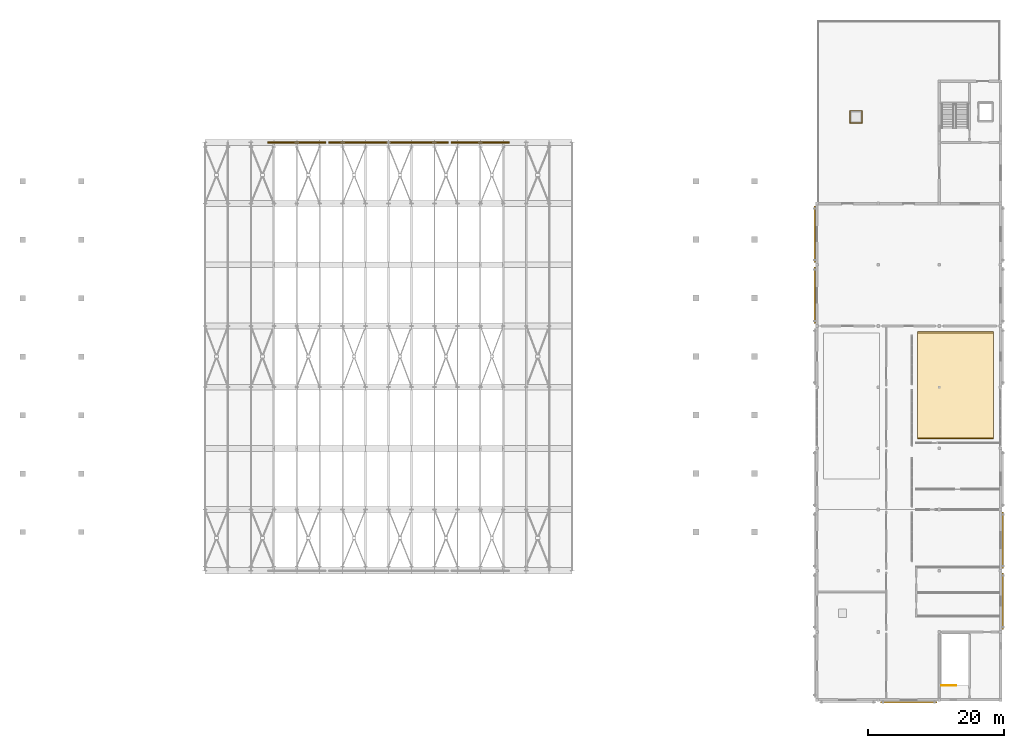
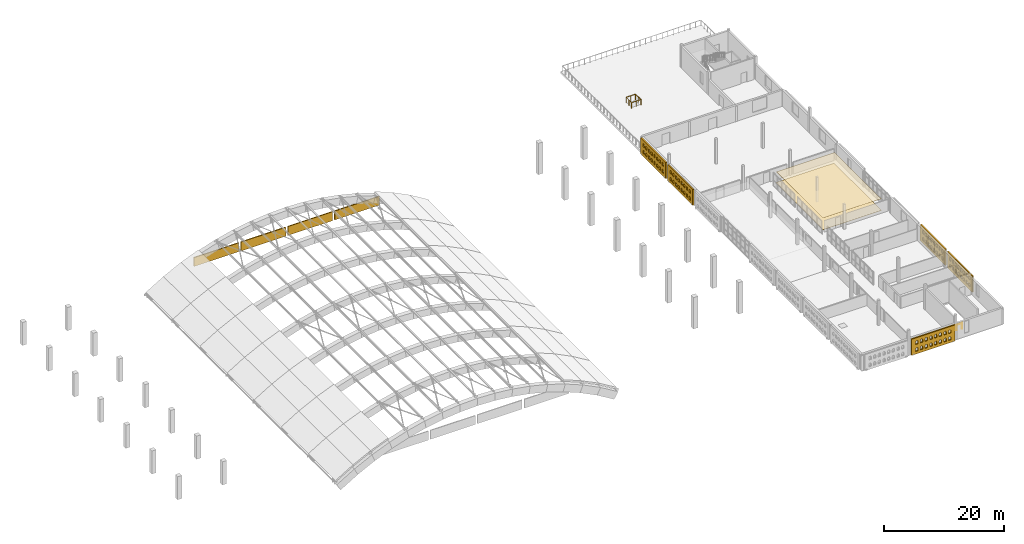
# One storey, part 28 of 30: 7 coverings, 4 shading devices, 2 railings.
"""IFC4 building model written with IfcOpenShell, lengths in metres."""

import ifcopenshell
import ifcopenshell.guid

model = None  # the IFC model being written
_history = None  # IfcOwnerHistory: only IFC2X3 demands one
_inside = {}  # id of a spatial element -> (the spatial element, [elements in it])
_under = {}  # id of a project, library or spatial element -> (it, [spatial elements below it])
_declared = {}  # id of a project -> (the project, [libraries it declares])
_typed = {}  # id of a type object -> (the type object, [elements of that type])
_made_of = {}  # id of a material, layer set ... -> (it, [elements and type objects made of it])


def new_model(schema):
    """Start an empty IFC model of exactly this schema.

    Asked for "IFC4X3", IfcOpenShell would pick the latest addendum, in which some entities
    have other attributes; the version numbers below select the first issue.
    IFC2X3 requires an IfcOwnerHistory on every rooted entity: one is made here for all.
    """
    global model, _history
    if schema == "IFC4X3":
        model = ifcopenshell.file(schema_version=(4, 3, 0, 0))
    else:
        model = ifcopenshell.file(schema=schema)
    _inside.clear()
    _under.clear()
    _declared.clear()
    _typed.clear()
    _made_of.clear()
    _history = None
    if model.schema == "IFC2X3":
        org = make("IfcOrganization", Name="unknown")
        user = make(
            "IfcPersonAndOrganization",
            ThePerson=make("IfcPerson", FamilyName="unknown"),
            TheOrganization=org,
        )
        app = make(
            "IfcApplication",
            ApplicationDeveloper=org,
            Version="unknown",
            ApplicationFullName="unknown",
            ApplicationIdentifier="unknown",
        )
        _history = make(
            "IfcOwnerHistory",
            OwningUser=user,
            OwningApplication=app,
            ChangeAction="ADDED",
            CreationDate=0,
        )
    return model


def make(cls, **values):
    """One entity of the class cls with the attributes given. An attribute that is None is left unset."""
    return model.create_entity(
        cls, **{name: value for name, value in values.items() if value is not None}
    )


def rooted(cls, **values):
    """An entity with a GlobalId (a new one), such as an element, a storey or a relation."""
    return make(cls, GlobalId=ifcopenshell.guid.new(), OwnerHistory=_history, **values)


def si_unit(unit_type, name, prefix=None):
    """IfcSIUnit, for example si_unit("LENGTHUNIT", "METRE", prefix="MILLI")."""
    return make("IfcSIUnit", UnitType=unit_type, Prefix=prefix, Name=name)


def assignment(units):
    """IfcUnitAssignment: the units of a project."""
    return None if units is None else make("IfcUnitAssignment", Units=units)


def point(xyz):
    """IfcCartesianPoint."""
    return None if xyz is None else make("IfcCartesianPoint", Coordinates=xyz)


def direction(xyz):
    """IfcDirection."""
    return None if xyz is None else make("IfcDirection", DirectionRatios=xyz)


def frame(location, z_axis=None, x_axis=None):
    """IfcAxis2Placement3D, a coordinate frame: its origin and axes. An axis left out is left unset."""
    return make(
        "IfcAxis2Placement3D",
        Location=point(location),
        Axis=direction(z_axis),
        RefDirection=direction(x_axis),
    )


def frame_2d(location, x_axis=None):
    """IfcAxis2Placement2D, a coordinate frame in the plane: its origin and x axis."""
    return make(
        "IfcAxis2Placement2D", Location=point(location), RefDirection=direction(x_axis)
    )


def origin():
    """The frame at (0, 0, 0) with its axes left unset."""
    return frame((0.0, 0.0, 0.0))


def origin_2d():
    """The frame at (0, 0) in the plane with its x axis left unset."""
    return frame_2d((0.0, 0.0))


def place(relative_to, where):
    """IfcLocalPlacement: puts the frame where relative to a parent placement (None: the world)."""
    return make(
        "IfcLocalPlacement", PlacementRelTo=relative_to, RelativePlacement=where
    )


def context(
    kind, dimensions, precision=None, world=None, true_north=None, identifier=None
):
    """IfcGeometricRepresentationContext, for example the 3D "Model" context."""
    return make(
        "IfcGeometricRepresentationContext",
        ContextIdentifier=identifier,
        ContextType=kind,
        CoordinateSpaceDimension=dimensions,
        Precision=precision,
        WorldCoordinateSystem=world,
        TrueNorth=true_north,
    )


def subcontext(parent, identifier, kind, view, scale=None):
    """IfcGeometricRepresentationSubContext, for example "Body" below "Model"."""
    return make(
        "IfcGeometricRepresentationSubContext",
        ContextIdentifier=identifier,
        ContextType=kind,
        ParentContext=parent,
        TargetScale=scale,
        TargetView=view,
    )


def project(units=None, contexts=None):
    """IfcProject with its units and contexts."""
    return rooted(
        "IfcProject",
        Name="project",
        RepresentationContexts=contexts,
        UnitsInContext=assignment(units),
    )


def spatial(cls, under=None, at=None, **own):
    """A site, building, storey or space (cls), placed at a placement, below another one or the project."""
    s = rooted(cls, ObjectPlacement=at, **own)
    if under is not None:
        _under.setdefault(under.id(), (under, []))[1].append(s)
    return s


def polyline(points):
    """IfcPolyline through the points."""
    return make("IfcPolyline", Points=[point(p) for p in points])


def profile(cls, at=None, kind="AREA", **sizes):
    """A parametric profile (cls). Its sizes go by their IFC names, for example OverallWidth=200.0."""
    return make(cls, ProfileType=kind, Position=at, **sizes)


def rectangle(**sizes):
    """IfcRectangleProfileDef."""
    return profile("IfcRectangleProfileDef", **sizes)


def circle(**sizes):
    """IfcCircleProfileDef."""
    return profile("IfcCircleProfileDef", **sizes)


def outline(outer, holes=None, kind="AREA"):
    """IfcArbitraryClosedProfileDef: a profile drawn as a closed curve; with holes, ...WithVoids."""
    if holes is None:
        return make("IfcArbitraryClosedProfileDef", ProfileType=kind, OuterCurve=outer)
    return make(
        "IfcArbitraryProfileDefWithVoids",
        ProfileType=kind,
        OuterCurve=outer,
        InnerCurves=holes,
    )


def extrude(swept, where, along, depth):
    """IfcExtrudedAreaSolid: the profile swept, set in the frame where, extruded along a direction by depth."""
    return make(
        "IfcExtrudedAreaSolid",
        SweptArea=swept,
        Position=where,
        ExtrudedDirection=direction(along),
        Depth=depth,
    )


def shape(context_of_items, identifier, shape_type, items):
    """IfcShapeRepresentation: the items that make up one representation, for example the "Body"."""
    return make(
        "IfcShapeRepresentation",
        ContextOfItems=context_of_items,
        RepresentationIdentifier=identifier,
        RepresentationType=shape_type,
        Items=items,
    )


def material(Name=None, Category=None):
    """IfcMaterial."""
    return make("IfcMaterial", Name=Name, Category=Category)


def layer(
    of_material, thickness, ventilated=None, Name=None, Category=None, Priority=None
):
    """IfcMaterialLayer: one layer of a wall or slab, of a material (None: an air gap)."""
    return make(
        "IfcMaterialLayer",
        Material=of_material,
        LayerThickness=thickness,
        IsVentilated=ventilated,
        Name=Name,
        Category=Category,
        Priority=Priority,
    )


def layer_set(layers, Name=None):
    """IfcMaterialLayerSet."""
    return make("IfcMaterialLayerSet", MaterialLayers=layers, LayerSetName=Name)


def made_of(thing, what):
    """Note that an element or type object is made of a material, layer set ...; save() writes the relation."""
    if what is not None:
        _made_of.setdefault(what.id(), (what, []))[1].append(thing)
    return thing


def type_object(cls, material=None, **own):
    """A type object (cls), such as IfcWallType, which elements share."""
    return made_of(rooted(cls, **own), material)


def element(
    cls,
    number,
    at=None,
    inside=None,
    cuts=None,
    type_object=None,
    material=None,
    context=None,
    identifier="Body",
    shape_type=None,
    held_by="IfcProductDefinitionShape",
    body=None,
    shapes=None,
    **own,
):
    """One element of the class cls, such as IfcWall. Its Tag is "e" and its number.

    at: its placement. inside: the storey or other place that contains it. cuts: it is an
    opening in that element (IfcRelVoidsElement). A single representation is given by context,
    identifier, shape_type and body (its items); several are given by shapes. held_by: the class
    of the entity that holds the representations. save() writes the other relations.
    """
    e = rooted(cls, Tag="e%d" % number, ObjectPlacement=at, **own)
    if body is not None:
        shapes = [shape(context, identifier, shape_type, body)]
    if shapes is not None:
        e.Representation = make(held_by, Representations=shapes)
    if inside is not None:
        _inside.setdefault(inside.id(), (inside, []))[1].append(e)
    if cuts is not None:
        rooted(
            "IfcRelVoidsElement", RelatingBuildingElement=cuts, RelatedOpeningElement=e
        )
    if type_object is not None:
        _typed.setdefault(type_object.id(), (type_object, []))[1].append(e)
    return made_of(e, material)


def aggregate(whole, parts):
    """IfcRelAggregates: a whole, such as a stair, and the parts it consists of."""
    return rooted("IfcRelAggregates", RelatingObject=whole, RelatedObjects=parts)


def save(model, path):
    """Write the relations noted so far, then the file.

    IfcRelAggregates (storeys below a building ...), IfcRelContainedInSpatialStructure (elements
    in a storey), IfcRelDefinesByType, IfcRelAssociatesMaterial and IfcRelDeclares: one each for
    every whole, place, type object, material and project.
    """
    for whole, parts in _under.values():
        aggregate(whole, parts)
    for where, things in _inside.values():
        rooted(
            "IfcRelContainedInSpatialStructure",
            RelatedElements=things,
            RelatingStructure=where,
        )
    for kind, things in _typed.values():
        rooted("IfcRelDefinesByType", RelatedObjects=things, RelatingType=kind)
    for what, things in _made_of.values():
        rooted("IfcRelAssociatesMaterial", RelatedObjects=things, RelatingMaterial=what)
    for by, libraries in _declared.values():
        rooted("IfcRelDeclares", RelatingContext=by, RelatedDefinitions=libraries)
    model.write(path)


model = new_model("IFC4")

# Units and contexts
model_context = context("Model", 3, precision=1e-05, world=origin(), true_north=direction((0.0, 1.0)))
body_context = subcontext(model_context, "Body", "Model", "MODEL_VIEW")
ifc_project = project(units=[si_unit("LENGTHUNIT", "METRE"), si_unit("AREAUNIT", "SQUARE_METRE"), si_unit("VOLUMEUNIT", "CUBIC_METRE"), si_unit("PLANEANGLEUNIT", "RADIAN"), si_unit("MASSUNIT", "GRAM", prefix="KILO")], contexts=[model_context])

# Site, building, storey
site_placement = place(None, origin())
site = spatial("IfcSite", under=ifc_project, at=site_placement, CompositionType="ELEMENT")
building_placement = place(site_placement, origin())
building = spatial("IfcBuilding", under=site, at=building_placement, Name="Ornek Quay Market", CompositionType="ELEMENT")
storey_placement = place(building_placement, frame((0.0, 0.0, 12.0)))
storey = spatial("IfcBuildingStorey", under=building, at=storey_placement, Name="L03", CompositionType="ELEMENT", Elevation=12.0)

# Coverings
ifc_material_1 = material(Name="Frost-resistant facing clay brick M200 F100", Category="masonry")
ifc_layer_1 = layer(ifc_material_1, 0.25, Name="Frost-resistant facing clay brick M200 F100", Category="masonry")
ifc_layer_set_1 = layer_set([ifc_layer_1], Name="Frost-resistant facing clay brick M200 F100")
covering_type_1 = type_object("IfcCoveringType", Name="COV-BRICK-LATTICE-250", PredefinedType="CLADDING", material=ifc_layer_set_1)
covering_1_placement = place(storey_placement, frame((152.669921875, 65.35009765625, 0.0), z_axis=(0.0, 0.0, 1.0), x_axis=(0.0, 1.0, 0.0)))
element("IfcCovering", 1, at=covering_1_placement, inside=storey, type_object=covering_type_1, Name="Arched brick lattice screen BLS-084", PredefinedType="CLADDING", context=body_context, shape_type="SweptSolid", body=[
    extrude(outline(polyline([(0.0, 0.0), (8.2998046875, 0.0), (8.2998046875, 3.25), (0.0, 3.25), (0.0, 0.0)]), holes=[polyline([(0.760009765625, 0.550048828125), (1.239990234375, 0.550048828125), (1.239990234375, 1.050048828125), (1.1201171875, 1.2578125), (0.8798828125, 1.2578125), (0.760009765625, 1.050048828125), (0.760009765625, 0.550048828125)]), polyline([(0.760009765625, 1.949951171875), (1.239990234375, 1.949951171875), (1.239990234375, 2.449951171875), (1.1201171875, 2.65771484375), (0.8798828125, 2.65771484375), (0.760009765625, 2.449951171875), (0.760009765625, 1.949951171875)]), polyline([(1.659912109375, 0.550048828125), (2.139892578125, 0.550048828125), (2.139892578125, 1.050048828125), (2.02001953125, 1.2578125), (1.780029296875, 1.2578125), (1.659912109375, 1.050048828125), (1.659912109375, 0.550048828125)]), polyline([(1.659912109375, 1.949951171875), (2.139892578125, 1.949951171875), (2.139892578125, 2.449951171875), (2.02001953125, 2.65771484375), (1.780029296875, 2.65771484375), (1.659912109375, 2.449951171875), (1.659912109375, 1.949951171875)]), polyline([(2.56005859375, 0.550048828125), (3.0400390625, 0.550048828125), (3.0400390625, 1.050048828125), (2.919921875, 1.2578125), (2.679931640625, 1.2578125), (2.56005859375, 1.050048828125), (2.56005859375, 0.550048828125)]), polyline([(2.56005859375, 1.949951171875), (3.0400390625, 1.949951171875), (3.0400390625, 2.449951171875), (2.919921875, 2.65771484375), (2.679931640625, 2.65771484375), (2.56005859375, 2.449951171875), (2.56005859375, 1.949951171875)]), polyline([(3.4599609375, 0.550048828125), (3.93994140625, 0.550048828125), (3.93994140625, 1.050048828125), (3.820068359375, 1.2578125), (3.580078125, 1.2578125), (3.4599609375, 1.050048828125), (3.4599609375, 0.550048828125)]), polyline([(3.4599609375, 1.949951171875), (3.93994140625, 1.949951171875), (3.93994140625, 2.449951171875), (3.820068359375, 2.65771484375), (3.580078125, 2.65771484375), (3.4599609375, 2.449951171875), (3.4599609375, 1.949951171875)]), polyline([(4.360107421875, 0.550048828125), (4.840087890625, 0.550048828125), (4.840087890625, 1.050048828125), (4.719970703125, 1.2578125), (4.47998046875, 1.2578125), (4.360107421875, 1.050048828125), (4.360107421875, 0.550048828125)]), polyline([(4.360107421875, 1.949951171875), (4.840087890625, 1.949951171875), (4.840087890625, 2.449951171875), (4.719970703125, 2.65771484375), (4.47998046875, 2.65771484375), (4.360107421875, 2.449951171875), (4.360107421875, 1.949951171875)]), polyline([(5.260009765625, 0.550048828125), (5.739990234375, 0.550048828125), (5.739990234375, 1.050048828125), (5.6201171875, 1.2578125), (5.3798828125, 1.2578125), (5.260009765625, 1.050048828125), (5.260009765625, 0.550048828125)]), polyline([(5.260009765625, 1.949951171875), (5.739990234375, 1.949951171875), (5.739990234375, 2.449951171875), (5.6201171875, 2.65771484375), (5.3798828125, 2.65771484375), (5.260009765625, 2.449951171875), (5.260009765625, 1.949951171875)]), polyline([(6.159912109375, 0.550048828125), (6.639892578125, 0.550048828125), (6.639892578125, 1.050048828125), (6.52001953125, 1.2578125), (6.280029296875, 1.2578125), (6.159912109375, 1.050048828125), (6.159912109375, 0.550048828125)]), polyline([(6.159912109375, 1.949951171875), (6.639892578125, 1.949951171875), (6.639892578125, 2.449951171875), (6.52001953125, 2.65771484375), (6.280029296875, 2.65771484375), (6.159912109375, 2.449951171875), (6.159912109375, 1.949951171875)]), polyline([(7.06005859375, 0.550048828125), (7.5400390625, 0.550048828125), (7.5400390625, 1.050048828125), (7.419921875, 1.2578125), (7.179931640625, 1.2578125), (7.06005859375, 1.050048828125), (7.06005859375, 0.550048828125)]), polyline([(7.06005859375, 1.949951171875), (7.5400390625, 1.949951171875), (7.5400390625, 2.449951171875), (7.419921875, 2.65771484375), (7.179931640625, 2.65771484375), (7.06005859375, 2.449951171875), (7.06005859375, 1.949951171875)])]), frame((0.0, 0.125, 0.0), z_axis=(0.0, -1.0, 0.0), x_axis=(1.0, 0.0, 0.0)), (0.0, 0.0, 1.0), 0.25),
])
covering_2_placement = place(storey_placement, frame((152.669921875, 74.35009765625, 0.0), z_axis=(0.0, 0.0, 1.0), x_axis=(0.0, 1.0, 0.0)))
element("IfcCovering", 2, at=covering_2_placement, inside=storey, type_object=covering_type_1, Name="Arched brick lattice screen BLS-086", PredefinedType="CLADDING", context=body_context, shape_type="SweptSolid", body=[
    extrude(outline(polyline([(0.0, 0.0), (8.2998046875, 0.0), (8.2998046875, 3.25), (0.0, 3.25), (0.0, 0.0)]), holes=[polyline([(0.760009765625, 0.550048828125), (1.239990234375, 0.550048828125), (1.239990234375, 1.050048828125), (1.1201171875, 1.2578125), (0.8798828125, 1.2578125), (0.760009765625, 1.050048828125), (0.760009765625, 0.550048828125)]), polyline([(0.760009765625, 1.949951171875), (1.239990234375, 1.949951171875), (1.239990234375, 2.449951171875), (1.1201171875, 2.65771484375), (0.8798828125, 2.65771484375), (0.760009765625, 2.449951171875), (0.760009765625, 1.949951171875)]), polyline([(1.659912109375, 0.550048828125), (2.139892578125, 0.550048828125), (2.139892578125, 1.050048828125), (2.02001953125, 1.2578125), (1.780029296875, 1.2578125), (1.659912109375, 1.050048828125), (1.659912109375, 0.550048828125)]), polyline([(1.659912109375, 1.949951171875), (2.139892578125, 1.949951171875), (2.139892578125, 2.449951171875), (2.02001953125, 2.65771484375), (1.780029296875, 2.65771484375), (1.659912109375, 2.449951171875), (1.659912109375, 1.949951171875)]), polyline([(2.56005859375, 0.550048828125), (3.0400390625, 0.550048828125), (3.0400390625, 1.050048828125), (2.919921875, 1.2578125), (2.679931640625, 1.2578125), (2.56005859375, 1.050048828125), (2.56005859375, 0.550048828125)]), polyline([(2.56005859375, 1.949951171875), (3.0400390625, 1.949951171875), (3.0400390625, 2.449951171875), (2.919921875, 2.65771484375), (2.679931640625, 2.65771484375), (2.56005859375, 2.449951171875), (2.56005859375, 1.949951171875)]), polyline([(3.4599609375, 0.550048828125), (3.93994140625, 0.550048828125), (3.93994140625, 1.050048828125), (3.820068359375, 1.2578125), (3.580078125, 1.2578125), (3.4599609375, 1.050048828125), (3.4599609375, 0.550048828125)]), polyline([(3.4599609375, 1.949951171875), (3.93994140625, 1.949951171875), (3.93994140625, 2.449951171875), (3.820068359375, 2.65771484375), (3.580078125, 2.65771484375), (3.4599609375, 2.449951171875), (3.4599609375, 1.949951171875)]), polyline([(4.360107421875, 0.550048828125), (4.840087890625, 0.550048828125), (4.840087890625, 1.050048828125), (4.719970703125, 1.2578125), (4.47998046875, 1.2578125), (4.360107421875, 1.050048828125), (4.360107421875, 0.550048828125)]), polyline([(4.360107421875, 1.949951171875), (4.840087890625, 1.949951171875), (4.840087890625, 2.449951171875), (4.719970703125, 2.65771484375), (4.47998046875, 2.65771484375), (4.360107421875, 2.449951171875), (4.360107421875, 1.949951171875)]), polyline([(5.260009765625, 0.550048828125), (5.739990234375, 0.550048828125), (5.739990234375, 1.050048828125), (5.6201171875, 1.2578125), (5.3798828125, 1.2578125), (5.260009765625, 1.050048828125), (5.260009765625, 0.550048828125)]), polyline([(5.260009765625, 1.949951171875), (5.739990234375, 1.949951171875), (5.739990234375, 2.449951171875), (5.6201171875, 2.65771484375), (5.3798828125, 2.65771484375), (5.260009765625, 2.449951171875), (5.260009765625, 1.949951171875)]), polyline([(6.159912109375, 0.550048828125), (6.639892578125, 0.550048828125), (6.639892578125, 1.050048828125), (6.52001953125, 1.2578125), (6.280029296875, 1.2578125), (6.159912109375, 1.050048828125), (6.159912109375, 0.550048828125)]), polyline([(6.159912109375, 1.949951171875), (6.639892578125, 1.949951171875), (6.639892578125, 2.449951171875), (6.52001953125, 2.65771484375), (6.280029296875, 2.65771484375), (6.159912109375, 2.449951171875), (6.159912109375, 1.949951171875)]), polyline([(7.06005859375, 0.550048828125), (7.5400390625, 0.550048828125), (7.5400390625, 1.050048828125), (7.419921875, 1.2578125), (7.179931640625, 1.2578125), (7.06005859375, 1.050048828125), (7.06005859375, 0.550048828125)]), polyline([(7.06005859375, 1.949951171875), (7.5400390625, 1.949951171875), (7.5400390625, 2.449951171875), (7.419921875, 2.65771484375), (7.179931640625, 2.65771484375), (7.06005859375, 2.449951171875), (7.06005859375, 1.949951171875)])]), frame((0.0, 0.125, 0.0), z_axis=(0.0, -1.0, 0.0), x_axis=(1.0, 0.0, 0.0)), (0.0, 0.0, 1.0), 0.25),
])
covering_3_placement = place(storey_placement, frame((180.330078125, 20.35009765625, 0.0), z_axis=(0.0, 0.0, 1.0), x_axis=(0.0, 1.0, 0.0)))
element("IfcCovering", 3, at=covering_3_placement, inside=storey, type_object=covering_type_1, Name="Arched brick lattice screen BLS-124", PredefinedType="CLADDING", context=body_context, shape_type="SweptSolid", body=[
    extrude(outline(polyline([(0.0, 0.0), (8.2998046875, 0.0), (8.2998046875, 3.280029296875), (0.0, 3.280029296875), (0.0, 0.0)]), holes=[polyline([(0.760009765625, 0.550048828125), (1.239990234375, 0.550048828125), (1.239990234375, 1.050048828125), (1.1201171875, 1.2578125), (0.8798828125, 1.2578125), (0.760009765625, 1.050048828125), (0.760009765625, 0.550048828125)]), polyline([(0.760009765625, 1.949951171875), (1.239990234375, 1.949951171875), (1.239990234375, 2.449951171875), (1.1201171875, 2.65771484375), (0.8798828125, 2.65771484375), (0.760009765625, 2.449951171875), (0.760009765625, 1.949951171875)]), polyline([(1.659912109375, 0.550048828125), (2.139892578125, 0.550048828125), (2.139892578125, 1.050048828125), (2.02001953125, 1.2578125), (1.780029296875, 1.2578125), (1.659912109375, 1.050048828125), (1.659912109375, 0.550048828125)]), polyline([(1.659912109375, 1.949951171875), (2.139892578125, 1.949951171875), (2.139892578125, 2.449951171875), (2.02001953125, 2.65771484375), (1.780029296875, 2.65771484375), (1.659912109375, 2.449951171875), (1.659912109375, 1.949951171875)]), polyline([(2.56005859375, 0.550048828125), (3.0400390625, 0.550048828125), (3.0400390625, 1.050048828125), (2.919921875, 1.2578125), (2.679931640625, 1.2578125), (2.56005859375, 1.050048828125), (2.56005859375, 0.550048828125)]), polyline([(2.56005859375, 1.949951171875), (3.0400390625, 1.949951171875), (3.0400390625, 2.449951171875), (2.919921875, 2.65771484375), (2.679931640625, 2.65771484375), (2.56005859375, 2.449951171875), (2.56005859375, 1.949951171875)]), polyline([(3.4599609375, 0.550048828125), (3.93994140625, 0.550048828125), (3.93994140625, 1.050048828125), (3.820068359375, 1.2578125), (3.580078125, 1.2578125), (3.4599609375, 1.050048828125), (3.4599609375, 0.550048828125)]), polyline([(3.4599609375, 1.949951171875), (3.93994140625, 1.949951171875), (3.93994140625, 2.449951171875), (3.820068359375, 2.65771484375), (3.580078125, 2.65771484375), (3.4599609375, 2.449951171875), (3.4599609375, 1.949951171875)]), polyline([(4.360107421875, 0.550048828125), (4.840087890625, 0.550048828125), (4.840087890625, 1.050048828125), (4.719970703125, 1.2578125), (4.47998046875, 1.2578125), (4.360107421875, 1.050048828125), (4.360107421875, 0.550048828125)]), polyline([(4.360107421875, 1.949951171875), (4.840087890625, 1.949951171875), (4.840087890625, 2.449951171875), (4.719970703125, 2.65771484375), (4.47998046875, 2.65771484375), (4.360107421875, 2.449951171875), (4.360107421875, 1.949951171875)]), polyline([(5.260009765625, 0.550048828125), (5.739990234375, 0.550048828125), (5.739990234375, 1.050048828125), (5.6201171875, 1.2578125), (5.3798828125, 1.2578125), (5.260009765625, 1.050048828125), (5.260009765625, 0.550048828125)]), polyline([(5.260009765625, 1.949951171875), (5.739990234375, 1.949951171875), (5.739990234375, 2.449951171875), (5.6201171875, 2.65771484375), (5.3798828125, 2.65771484375), (5.260009765625, 2.449951171875), (5.260009765625, 1.949951171875)]), polyline([(6.159912109375, 0.550048828125), (6.639892578125, 0.550048828125), (6.639892578125, 1.050048828125), (6.52001953125, 1.2578125), (6.280029296875, 1.2578125), (6.159912109375, 1.050048828125), (6.159912109375, 0.550048828125)]), polyline([(6.159912109375, 1.949951171875), (6.639892578125, 1.949951171875), (6.639892578125, 2.449951171875), (6.52001953125, 2.65771484375), (6.280029296875, 2.65771484375), (6.159912109375, 2.449951171875), (6.159912109375, 1.949951171875)]), polyline([(7.06005859375, 0.550048828125), (7.5400390625, 0.550048828125), (7.5400390625, 1.050048828125), (7.419921875, 1.2578125), (7.179931640625, 1.2578125), (7.06005859375, 1.050048828125), (7.06005859375, 0.550048828125)]), polyline([(7.06005859375, 1.949951171875), (7.5400390625, 1.949951171875), (7.5400390625, 2.449951171875), (7.419921875, 2.65771484375), (7.179931640625, 2.65771484375), (7.06005859375, 2.449951171875), (7.06005859375, 1.949951171875)])]), frame((0.0, 0.125, 0.0), z_axis=(0.0, -1.0, 0.0), x_axis=(1.0, 0.0, 0.0)), (0.0, 0.0, 1.0), 0.25),
])
covering_4_placement = place(storey_placement, frame((180.330078125, 29.35009765625, 0.0), z_axis=(0.0, 0.0, 1.0), x_axis=(0.0, 1.0, 0.0)))
element("IfcCovering", 4, at=covering_4_placement, inside=storey, type_object=covering_type_1, Name="Arched brick lattice screen BLS-125", PredefinedType="CLADDING", context=body_context, shape_type="SweptSolid", body=[
    extrude(outline(polyline([(0.0, 0.0), (8.2998046875, 0.0), (8.2998046875, 3.280029296875), (0.0, 3.280029296875), (0.0, 0.0)]), holes=[polyline([(0.760009765625, 0.550048828125), (1.239990234375, 0.550048828125), (1.239990234375, 1.050048828125), (1.1201171875, 1.2578125), (0.8798828125, 1.2578125), (0.760009765625, 1.050048828125), (0.760009765625, 0.550048828125)]), polyline([(0.760009765625, 1.949951171875), (1.239990234375, 1.949951171875), (1.239990234375, 2.449951171875), (1.1201171875, 2.65771484375), (0.8798828125, 2.65771484375), (0.760009765625, 2.449951171875), (0.760009765625, 1.949951171875)]), polyline([(1.659912109375, 0.550048828125), (2.139892578125, 0.550048828125), (2.139892578125, 1.050048828125), (2.02001953125, 1.2578125), (1.780029296875, 1.2578125), (1.659912109375, 1.050048828125), (1.659912109375, 0.550048828125)]), polyline([(1.659912109375, 1.949951171875), (2.139892578125, 1.949951171875), (2.139892578125, 2.449951171875), (2.02001953125, 2.65771484375), (1.780029296875, 2.65771484375), (1.659912109375, 2.449951171875), (1.659912109375, 1.949951171875)]), polyline([(2.56005859375, 0.550048828125), (3.0400390625, 0.550048828125), (3.0400390625, 1.050048828125), (2.919921875, 1.2578125), (2.679931640625, 1.2578125), (2.56005859375, 1.050048828125), (2.56005859375, 0.550048828125)]), polyline([(2.56005859375, 1.949951171875), (3.0400390625, 1.949951171875), (3.0400390625, 2.449951171875), (2.919921875, 2.65771484375), (2.679931640625, 2.65771484375), (2.56005859375, 2.449951171875), (2.56005859375, 1.949951171875)]), polyline([(3.4599609375, 0.550048828125), (3.93994140625, 0.550048828125), (3.93994140625, 1.050048828125), (3.820068359375, 1.2578125), (3.580078125, 1.2578125), (3.4599609375, 1.050048828125), (3.4599609375, 0.550048828125)]), polyline([(3.4599609375, 1.949951171875), (3.93994140625, 1.949951171875), (3.93994140625, 2.449951171875), (3.820068359375, 2.65771484375), (3.580078125, 2.65771484375), (3.4599609375, 2.449951171875), (3.4599609375, 1.949951171875)]), polyline([(4.360107421875, 0.550048828125), (4.840087890625, 0.550048828125), (4.840087890625, 1.050048828125), (4.719970703125, 1.2578125), (4.47998046875, 1.2578125), (4.360107421875, 1.050048828125), (4.360107421875, 0.550048828125)]), polyline([(4.360107421875, 1.949951171875), (4.840087890625, 1.949951171875), (4.840087890625, 2.449951171875), (4.719970703125, 2.65771484375), (4.47998046875, 2.65771484375), (4.360107421875, 2.449951171875), (4.360107421875, 1.949951171875)]), polyline([(5.260009765625, 0.550048828125), (5.739990234375, 0.550048828125), (5.739990234375, 1.050048828125), (5.6201171875, 1.2578125), (5.3798828125, 1.2578125), (5.260009765625, 1.050048828125), (5.260009765625, 0.550048828125)]), polyline([(5.260009765625, 1.949951171875), (5.739990234375, 1.949951171875), (5.739990234375, 2.449951171875), (5.6201171875, 2.65771484375), (5.3798828125, 2.65771484375), (5.260009765625, 2.449951171875), (5.260009765625, 1.949951171875)]), polyline([(6.159912109375, 0.550048828125), (6.639892578125, 0.550048828125), (6.639892578125, 1.050048828125), (6.52001953125, 1.2578125), (6.280029296875, 1.2578125), (6.159912109375, 1.050048828125), (6.159912109375, 0.550048828125)]), polyline([(6.159912109375, 1.949951171875), (6.639892578125, 1.949951171875), (6.639892578125, 2.449951171875), (6.52001953125, 2.65771484375), (6.280029296875, 2.65771484375), (6.159912109375, 2.449951171875), (6.159912109375, 1.949951171875)]), polyline([(7.06005859375, 0.550048828125), (7.5400390625, 0.550048828125), (7.5400390625, 1.050048828125), (7.419921875, 1.2578125), (7.179931640625, 1.2578125), (7.06005859375, 1.050048828125), (7.06005859375, 0.550048828125)]), polyline([(7.06005859375, 1.949951171875), (7.5400390625, 1.949951171875), (7.5400390625, 2.449951171875), (7.419921875, 2.65771484375), (7.179931640625, 2.65771484375), (7.06005859375, 2.449951171875), (7.06005859375, 1.949951171875)])]), frame((0.0, 0.125, 0.0), z_axis=(0.0, -1.0, 0.0), x_axis=(1.0, 0.0, 0.0)), (0.0, 0.0, 1.0), 0.25),
])
covering_5_placement = place(storey_placement, frame((162.35009765625, 9.669921875, 0.0), z_axis=(0.0, 0.0, 1.0), x_axis=(1.0, 0.0, 0.0)))
element("IfcCovering", 5, at=covering_5_placement, inside=storey, type_object=covering_type_1, Name="Arched brick lattice screen BLS-129", PredefinedType="CLADDING", context=body_context, shape_type="SweptSolid", body=[
    extrude(outline(polyline([(0.0, 0.0), (8.2998046875, 0.0), (8.2998046875, 3.280029296875), (0.0, 3.280029296875), (0.0, 0.0)]), holes=[polyline([(0.760009765625, 0.550048828125), (1.239990234375, 0.550048828125), (1.239990234375, 1.050048828125), (1.1201171875, 1.2578125), (0.8798828125, 1.2578125), (0.760009765625, 1.050048828125), (0.760009765625, 0.550048828125)]), polyline([(0.760009765625, 1.949951171875), (1.239990234375, 1.949951171875), (1.239990234375, 2.449951171875), (1.1201171875, 2.65771484375), (0.8798828125, 2.65771484375), (0.760009765625, 2.449951171875), (0.760009765625, 1.949951171875)]), polyline([(1.659912109375, 0.550048828125), (2.139892578125, 0.550048828125), (2.139892578125, 1.050048828125), (2.02001953125, 1.2578125), (1.780029296875, 1.2578125), (1.659912109375, 1.050048828125), (1.659912109375, 0.550048828125)]), polyline([(1.659912109375, 1.949951171875), (2.139892578125, 1.949951171875), (2.139892578125, 2.449951171875), (2.02001953125, 2.65771484375), (1.780029296875, 2.65771484375), (1.659912109375, 2.449951171875), (1.659912109375, 1.949951171875)]), polyline([(2.56005859375, 0.550048828125), (3.0400390625, 0.550048828125), (3.0400390625, 1.050048828125), (2.919921875, 1.2578125), (2.679931640625, 1.2578125), (2.56005859375, 1.050048828125), (2.56005859375, 0.550048828125)]), polyline([(2.56005859375, 1.949951171875), (3.0400390625, 1.949951171875), (3.0400390625, 2.449951171875), (2.919921875, 2.65771484375), (2.679931640625, 2.65771484375), (2.56005859375, 2.449951171875), (2.56005859375, 1.949951171875)]), polyline([(3.4599609375, 0.550048828125), (3.93994140625, 0.550048828125), (3.93994140625, 1.050048828125), (3.820068359375, 1.2578125), (3.580078125, 1.2578125), (3.4599609375, 1.050048828125), (3.4599609375, 0.550048828125)]), polyline([(3.4599609375, 1.949951171875), (3.93994140625, 1.949951171875), (3.93994140625, 2.449951171875), (3.820068359375, 2.65771484375), (3.580078125, 2.65771484375), (3.4599609375, 2.449951171875), (3.4599609375, 1.949951171875)]), polyline([(4.360107421875, 0.550048828125), (4.840087890625, 0.550048828125), (4.840087890625, 1.050048828125), (4.719970703125, 1.2578125), (4.47998046875, 1.2578125), (4.360107421875, 1.050048828125), (4.360107421875, 0.550048828125)]), polyline([(4.360107421875, 1.949951171875), (4.840087890625, 1.949951171875), (4.840087890625, 2.449951171875), (4.719970703125, 2.65771484375), (4.47998046875, 2.65771484375), (4.360107421875, 2.449951171875), (4.360107421875, 1.949951171875)]), polyline([(5.260009765625, 0.550048828125), (5.739990234375, 0.550048828125), (5.739990234375, 1.050048828125), (5.6201171875, 1.2578125), (5.3798828125, 1.2578125), (5.260009765625, 1.050048828125), (5.260009765625, 0.550048828125)]), polyline([(5.260009765625, 1.949951171875), (5.739990234375, 1.949951171875), (5.739990234375, 2.449951171875), (5.6201171875, 2.65771484375), (5.3798828125, 2.65771484375), (5.260009765625, 2.449951171875), (5.260009765625, 1.949951171875)]), polyline([(6.159912109375, 0.550048828125), (6.639892578125, 0.550048828125), (6.639892578125, 1.050048828125), (6.52001953125, 1.2578125), (6.280029296875, 1.2578125), (6.159912109375, 1.050048828125), (6.159912109375, 0.550048828125)]), polyline([(6.159912109375, 1.949951171875), (6.639892578125, 1.949951171875), (6.639892578125, 2.449951171875), (6.52001953125, 2.65771484375), (6.280029296875, 2.65771484375), (6.159912109375, 2.449951171875), (6.159912109375, 1.949951171875)]), polyline([(7.06005859375, 0.550048828125), (7.5400390625, 0.550048828125), (7.5400390625, 1.050048828125), (7.419921875, 1.2578125), (7.179931640625, 1.2578125), (7.06005859375, 1.050048828125), (7.06005859375, 0.550048828125)]), polyline([(7.06005859375, 1.949951171875), (7.5400390625, 1.949951171875), (7.5400390625, 2.449951171875), (7.419921875, 2.65771484375), (7.179931640625, 2.65771484375), (7.06005859375, 2.449951171875), (7.06005859375, 1.949951171875)])]), frame((0.0, 0.125, 0.0), z_axis=(0.0, -1.0, 0.0), x_axis=(1.0, 0.0, 0.0)), (0.0, 0.0, 1.0), 0.25),
])
ifc_material_2 = material(Name="Moisture-resistant acoustic gypsum ceiling", Category="other")
ifc_layer_2 = layer(ifc_material_2, 0.030029296875, Name="Moisture-resistant acoustic gypsum ceiling", Category="other")
ifc_layer_set_2 = layer_set([ifc_layer_2], Name="Moisture-resistant acoustic gypsum ceiling")
covering_type_2 = type_object("IfcCoveringType", Name="COV-CEIL-GYP-30", PredefinedType="CEILING", material=ifc_layer_set_2)
covering_6_placement = place(storey_placement, frame((0.0, 0.0, 2.300048828125)))
element("IfcCovering", 6, at=covering_6_placement, inside=storey, type_object=covering_type_2, Name="Suspended acoustic ceiling CLG-11", PredefinedType="CEILING", context=body_context, shape_type="SweptSolid", body=[
    extrude(outline(polyline([(167.800048828125, 48.5), (179.0, 48.5), (179.0, 64.0), (167.800048828125, 64.0), (167.800048828125, 48.5)])), origin(), (0.0, 0.0, 1.0), 0.030029296875),
])
ifc_material_3 = material(Name="Polished granite-aggregate terrazzo flooring", Category="masonry")
ifc_layer_3 = layer(ifc_material_3, 0.034912109375, Name="Polished granite-aggregate terrazzo flooring", Category="masonry")
ifc_layer_set_3 = layer_set([ifc_layer_3], Name="Polished granite-aggregate terrazzo flooring")
covering_type_3 = type_object("IfcCoveringType", Name="COV-FLR-TERRAZZO-35", PredefinedType="FLOORING", material=ifc_layer_set_3)
covering_7_placement = place(storey_placement, origin())
element("IfcCovering", 7, at=covering_7_placement, inside=storey, type_object=covering_type_3, Name="Finished flooring FLG-19", PredefinedType="FLOORING", context=body_context, shape_type="SweptSolid", body=[
    extrude(outline(polyline([(167.800048828125, 48.39990234375), (179.0, 48.39990234375), (179.0, 64.199951171875), (167.800048828125, 64.199951171875), (167.800048828125, 48.39990234375)])), origin(), (0.0, 0.0, 1.0), 0.034912109375),
])

# Railings
ifc_material_4 = material(Name="Brushed stainless steel 316", Category="steel")
railing_type_1 = type_object("IfcRailingType", Name="RL-GUARD-STAIR-1100", PredefinedType="GUARDRAIL", material=ifc_material_4)
railing_1_placement = place(storey_placement, frame((171.320068359375, 12.1201171875, 0.0)))
element("IfcRailing", 8, at=railing_1_placement, inside=storey, type_object=railing_type_1, Name="Railing GR-03-064", PredefinedType="GUARDRAIL", context=body_context, shape_type="SweptSolid", body=[
    extrude(circle(Radius=0.02392578125, at=origin_2d()), frame((0.0, 0.0, 1.09619140625), z_axis=(1.0, 0.0, 0.0), x_axis=(0.0, 1.0, 0.0)), (0.0, 0.0, 1.0), 2.179931640625),
    extrude(circle(Radius=0.02099609375, at=origin_2d()), origin(), (0.0, 0.0, 1.0), 1.068115234375),
    extrude(circle(Radius=0.02099609375, at=origin_2d()), frame((1.08984375, 0.0, 0.0)), (0.0, 0.0, 1.0), 1.068115234375),
    extrude(circle(Radius=0.02099609375, at=origin_2d()), frame((2.179931640625, 0.0, 0.0)), (0.0, 0.0, 1.0), 1.068115234375),
])
ifc_material_5 = material(Name="Anodised bronze steel and laminated safety glass", Category="steel")
railing_type_2 = type_object("IfcRailingType", Name="RL-GUARD-TER-1150", PredefinedType="BALUSTRADE", material=ifc_material_5)
railing_2_placement = place(storey_placement, frame((157.85009765625, 94.85009765625, 0.0)))
element("IfcRailing", 9, at=railing_2_placement, inside=storey, type_object=railing_type_2, Name="Terrace balustrade GT-05", PredefinedType="BALUSTRADE", context=body_context, shape_type="SweptSolid", body=[
    extrude(circle(Radius=0.02392578125, at=origin_2d()), frame((0.0, 0.0, 1.1259765625), z_axis=(1.0, 0.0, 0.0), x_axis=(0.0, 1.0, 0.0)), (0.0, 0.0, 1.0), 1.769775390625),
    extrude(circle(Radius=0.02392578125, at=origin_2d()), frame((1.7998046875, 0.030029296875, 1.1259765625), z_axis=(0.0, 1.0, 0.0), x_axis=(-1.0, 0.0, 0.0)), (0.0, 0.0, 1.0), 1.73974609375),
    extrude(circle(Radius=0.02392578125, at=origin_2d()), frame((1.769775390625, 1.7998046875, 1.1259765625), z_axis=(-1.0, 0.0, 0.0), x_axis=(0.0, -1.0, 0.0)), (0.0, 0.0, 1.0), 1.73974609375),
    extrude(circle(Radius=0.02392578125, at=origin_2d()), frame((0.0, 1.769775390625, 1.1259765625), z_axis=(0.0, -1.0, 0.0), x_axis=(1.0, 0.0, 0.0)), (0.0, 0.0, 1.0), 1.769775390625),
    extrude(circle(Radius=0.02099609375, at=origin_2d()), origin(), (0.0, 0.0, 1.0), 1.097900390625),
    extrude(circle(Radius=0.02099609375, at=origin_2d()), frame((0.89990234375, 0.0, 0.0)), (0.0, 0.0, 1.0), 1.097900390625),
    extrude(circle(Radius=0.02099609375, at=origin_2d()), frame((1.7998046875, 0.0, 0.0)), (0.0, 0.0, 1.0), 1.097900390625),
    extrude(circle(Radius=0.02099609375, at=origin_2d()), frame((1.7998046875, 0.89990234375, 0.0)), (0.0, 0.0, 1.0), 1.097900390625),
    extrude(circle(Radius=0.02099609375, at=origin_2d()), frame((1.7998046875, 1.7998046875, 0.0)), (0.0, 0.0, 1.0), 1.097900390625),
    extrude(circle(Radius=0.02099609375, at=origin_2d()), frame((0.89990234375, 1.7998046875, 0.0)), (0.0, 0.0, 1.0), 1.097900390625),
    extrude(circle(Radius=0.02099609375, at=origin_2d()), frame((0.0, 1.7998046875, 0.0)), (0.0, 0.0, 1.0), 1.097900390625),
    extrude(circle(Radius=0.02099609375, at=origin_2d()), frame((0.0, 0.89990234375, 0.0)), (0.0, 0.0, 1.0), 1.097900390625),
])

# Shading devices
ifc_material_6 = material(Name="Anodised bronze aluminium 6063-T6", Category="aluminium")
ifc_layer_4 = layer(ifc_material_6, 0.179931640625, Name="Anodised bronze aluminium 6063-T6", Category="aluminium")
ifc_layer_set_4 = layer_set([ifc_layer_4], Name="Anodised bronze aluminium 6063-T6")
shading_device_type = type_object("IfcShadingDeviceType", Name="SHD-LOUVRE-BRONZE-180", PredefinedType="JALOUSIE", material=ifc_layer_set_4)
shading_device_1_placement = place(storey_placement, frame((72.22509765625, 92.0, -0.35009765625), z_axis=(0.0, 0.0, 1.0), x_axis=(1.0, 0.0, 0.0)))
element("IfcShadingDevice", 10, at=shading_device_1_placement, inside=storey, type_object=shading_device_type, Name="Vault gable smoke and winter louvre LVR-66", PredefinedType="JALOUSIE", context=body_context, shape_type="SweptSolid", body=[
    extrude(rectangle(XDim=8.574951171875, YDim=0.179931640625, at=frame_2d((4.28759765625, 0.0))), origin(), (0.0, 0.0, 1.0), 1.800048828125),
])
for number, where, z_axis, x_axis, name in (
    (11, (81.199951171875, 92.0, -0.35009765625), (0.0, 0.0, 1.0), (1.0, 0.0, 0.0), "Vault gable smoke and winter louvre LVR-67"),
    (12, (90.199951171875, 92.0, -0.35009765625), (0.0, 0.0, 1.0), (1.0, 0.0, 0.0), "Vault gable smoke and winter louvre LVR-68"),
):
    element("IfcShadingDevice", number, at=place(storey_placement, frame(where, z_axis=z_axis, x_axis=x_axis)), inside=storey, type_object=shading_device_type, Name=name, PredefinedType="JALOUSIE", context=body_context, shape_type="SweptSolid", body=[
        extrude(rectangle(XDim=8.60009765625, YDim=0.179931640625, at=frame_2d((4.300048828125, 0.0))), origin(), (0.0, 0.0, 1.0), 1.800048828125),
    ])
shading_device_2_placement = place(storey_placement, frame((99.199951171875, 92.0, -0.35009765625), z_axis=(0.0, 0.0, 1.0), x_axis=(1.0, 0.0, 0.0)))
element("IfcShadingDevice", 13, at=shading_device_2_placement, inside=storey, type_object=shading_device_type, Name="Vault gable smoke and winter louvre LVR-69", PredefinedType="JALOUSIE", context=body_context, shape_type="SweptSolid", body=[
    extrude(rectangle(XDim=8.574951171875, YDim=0.179931640625, at=frame_2d((4.28759765625, 0.0))), origin(), (0.0, 0.0, 1.0), 1.800048828125),
])

save(model, "model.ifc")
